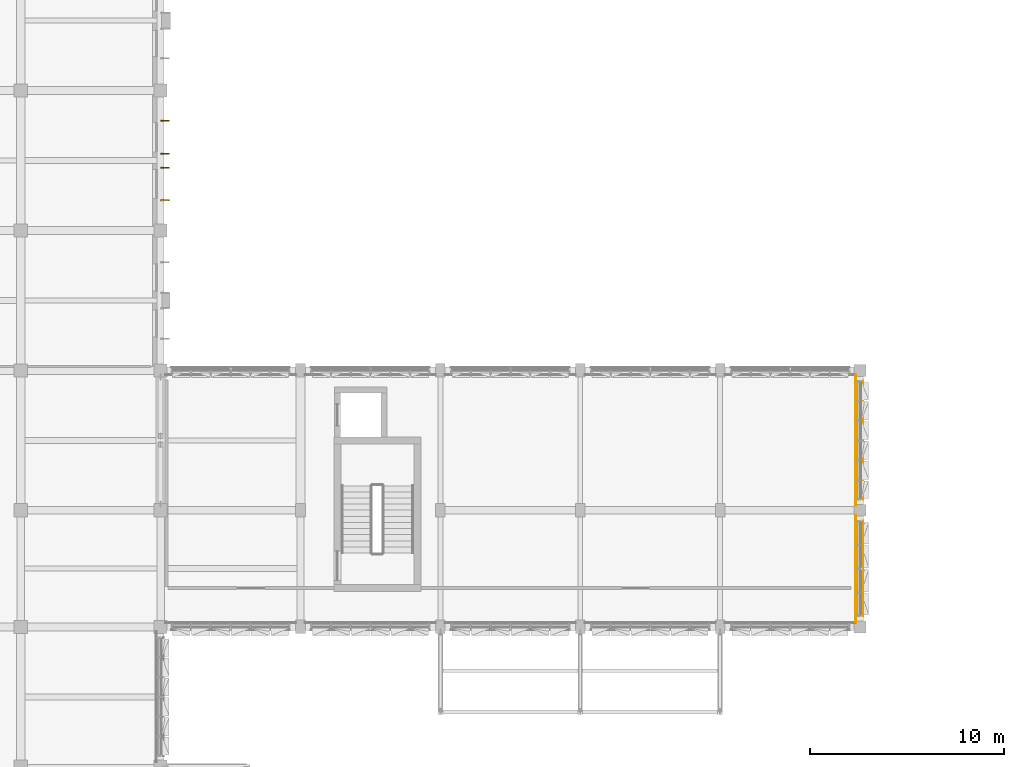
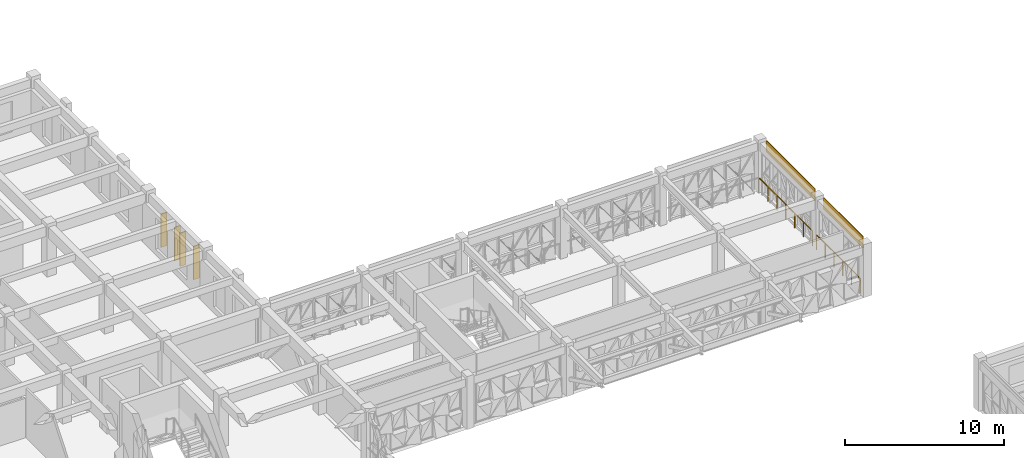
# One storey, part 76 of 88: 6 coverings, 2 railings.
"""IFC4 building model written with IfcOpenShell, lengths in metres."""

import ifcopenshell
import ifcopenshell.guid

model = None  # the IFC model being written
_history = None  # IfcOwnerHistory: only IFC2X3 demands one
_inside = {}  # id of a spatial element -> (the spatial element, [elements in it])
_under = {}  # id of a project, library or spatial element -> (it, [spatial elements below it])
_declared = {}  # id of a project -> (the project, [libraries it declares])
_typed = {}  # id of a type object -> (the type object, [elements of that type])
_made_of = {}  # id of a material, layer set ... -> (it, [elements and type objects made of it])


def new_model(schema):
    """Start an empty IFC model of exactly this schema.

    Asked for "IFC4X3", IfcOpenShell would pick the latest addendum, in which some entities
    have other attributes; the version numbers below select the first issue.
    IFC2X3 requires an IfcOwnerHistory on every rooted entity: one is made here for all.
    """
    global model, _history
    if schema == "IFC4X3":
        model = ifcopenshell.file(schema_version=(4, 3, 0, 0))
    else:
        model = ifcopenshell.file(schema=schema)
    _inside.clear()
    _under.clear()
    _declared.clear()
    _typed.clear()
    _made_of.clear()
    _history = None
    if model.schema == "IFC2X3":
        org = make("IfcOrganization", Name="unknown")
        user = make(
            "IfcPersonAndOrganization",
            ThePerson=make("IfcPerson", FamilyName="unknown"),
            TheOrganization=org,
        )
        app = make(
            "IfcApplication",
            ApplicationDeveloper=org,
            Version="unknown",
            ApplicationFullName="unknown",
            ApplicationIdentifier="unknown",
        )
        _history = make(
            "IfcOwnerHistory",
            OwningUser=user,
            OwningApplication=app,
            ChangeAction="ADDED",
            CreationDate=0,
        )
    return model


def make(cls, **values):
    """One entity of the class cls with the attributes given. An attribute that is None is left unset."""
    return model.create_entity(
        cls, **{name: value for name, value in values.items() if value is not None}
    )


def rooted(cls, **values):
    """An entity with a GlobalId (a new one), such as an element, a storey or a relation."""
    return make(cls, GlobalId=ifcopenshell.guid.new(), OwnerHistory=_history, **values)


def si_unit(unit_type, name, prefix=None):
    """IfcSIUnit, for example si_unit("LENGTHUNIT", "METRE", prefix="MILLI")."""
    return make("IfcSIUnit", UnitType=unit_type, Prefix=prefix, Name=name)


def assignment(units):
    """IfcUnitAssignment: the units of a project."""
    return None if units is None else make("IfcUnitAssignment", Units=units)


def point(xyz):
    """IfcCartesianPoint."""
    return None if xyz is None else make("IfcCartesianPoint", Coordinates=xyz)


def direction(xyz):
    """IfcDirection."""
    return None if xyz is None else make("IfcDirection", DirectionRatios=xyz)


def frame(location, z_axis=None, x_axis=None):
    """IfcAxis2Placement3D, a coordinate frame: its origin and axes. An axis left out is left unset."""
    return make(
        "IfcAxis2Placement3D",
        Location=point(location),
        Axis=direction(z_axis),
        RefDirection=direction(x_axis),
    )


def frame_2d(location, x_axis=None):
    """IfcAxis2Placement2D, a coordinate frame in the plane: its origin and x axis."""
    return make(
        "IfcAxis2Placement2D", Location=point(location), RefDirection=direction(x_axis)
    )


def origin():
    """The frame at (0, 0, 0) with its axes left unset."""
    return frame((0.0, 0.0, 0.0))


def origin_2d():
    """The frame at (0, 0) in the plane with its x axis left unset."""
    return frame_2d((0.0, 0.0))


def place(relative_to, where):
    """IfcLocalPlacement: puts the frame where relative to a parent placement (None: the world)."""
    return make(
        "IfcLocalPlacement", PlacementRelTo=relative_to, RelativePlacement=where
    )


def context(
    kind, dimensions, precision=None, world=None, true_north=None, identifier=None
):
    """IfcGeometricRepresentationContext, for example the 3D "Model" context."""
    return make(
        "IfcGeometricRepresentationContext",
        ContextIdentifier=identifier,
        ContextType=kind,
        CoordinateSpaceDimension=dimensions,
        Precision=precision,
        WorldCoordinateSystem=world,
        TrueNorth=true_north,
    )


def subcontext(parent, identifier, kind, view, scale=None):
    """IfcGeometricRepresentationSubContext, for example "Body" below "Model"."""
    return make(
        "IfcGeometricRepresentationSubContext",
        ContextIdentifier=identifier,
        ContextType=kind,
        ParentContext=parent,
        TargetScale=scale,
        TargetView=view,
    )


def project(units=None, contexts=None):
    """IfcProject with its units and contexts."""
    return rooted(
        "IfcProject",
        Name="project",
        RepresentationContexts=contexts,
        UnitsInContext=assignment(units),
    )


def spatial(cls, under=None, at=None, **own):
    """A site, building, storey or space (cls), placed at a placement, below another one or the project."""
    s = rooted(cls, ObjectPlacement=at, **own)
    if under is not None:
        _under.setdefault(under.id(), (under, []))[1].append(s)
    return s


def polyline(points):
    """IfcPolyline through the points."""
    return make("IfcPolyline", Points=[point(p) for p in points])


def profile(cls, at=None, kind="AREA", **sizes):
    """A parametric profile (cls). Its sizes go by their IFC names, for example OverallWidth=200.0."""
    return make(cls, ProfileType=kind, Position=at, **sizes)


def circle(**sizes):
    """IfcCircleProfileDef."""
    return profile("IfcCircleProfileDef", **sizes)


def outline(outer, holes=None, kind="AREA"):
    """IfcArbitraryClosedProfileDef: a profile drawn as a closed curve; with holes, ...WithVoids."""
    if holes is None:
        return make("IfcArbitraryClosedProfileDef", ProfileType=kind, OuterCurve=outer)
    return make(
        "IfcArbitraryProfileDefWithVoids",
        ProfileType=kind,
        OuterCurve=outer,
        InnerCurves=holes,
    )


def extrude(swept, where, along, depth):
    """IfcExtrudedAreaSolid: the profile swept, set in the frame where, extruded along a direction by depth."""
    return make(
        "IfcExtrudedAreaSolid",
        SweptArea=swept,
        Position=where,
        ExtrudedDirection=direction(along),
        Depth=depth,
    )


def shape(context_of_items, identifier, shape_type, items):
    """IfcShapeRepresentation: the items that make up one representation, for example the "Body"."""
    return make(
        "IfcShapeRepresentation",
        ContextOfItems=context_of_items,
        RepresentationIdentifier=identifier,
        RepresentationType=shape_type,
        Items=items,
    )


def material(Name=None, Category=None):
    """IfcMaterial."""
    return make("IfcMaterial", Name=Name, Category=Category)


def layer(
    of_material, thickness, ventilated=None, Name=None, Category=None, Priority=None
):
    """IfcMaterialLayer: one layer of a wall or slab, of a material (None: an air gap)."""
    return make(
        "IfcMaterialLayer",
        Material=of_material,
        LayerThickness=thickness,
        IsVentilated=ventilated,
        Name=Name,
        Category=Category,
        Priority=Priority,
    )


def layer_set(layers, Name=None):
    """IfcMaterialLayerSet."""
    return make("IfcMaterialLayerSet", MaterialLayers=layers, LayerSetName=Name)


def made_of(thing, what):
    """Note that an element or type object is made of a material, layer set ...; save() writes the relation."""
    if what is not None:
        _made_of.setdefault(what.id(), (what, []))[1].append(thing)
    return thing


def type_object(cls, material=None, **own):
    """A type object (cls), such as IfcWallType, which elements share."""
    return made_of(rooted(cls, **own), material)


def element(
    cls,
    number,
    at=None,
    inside=None,
    cuts=None,
    type_object=None,
    material=None,
    context=None,
    identifier="Body",
    shape_type=None,
    held_by="IfcProductDefinitionShape",
    body=None,
    shapes=None,
    **own,
):
    """One element of the class cls, such as IfcWall. Its Tag is "e" and its number.

    at: its placement. inside: the storey or other place that contains it. cuts: it is an
    opening in that element (IfcRelVoidsElement). A single representation is given by context,
    identifier, shape_type and body (its items); several are given by shapes. held_by: the class
    of the entity that holds the representations. save() writes the other relations.
    """
    e = rooted(cls, Tag="e%d" % number, ObjectPlacement=at, **own)
    if body is not None:
        shapes = [shape(context, identifier, shape_type, body)]
    if shapes is not None:
        e.Representation = make(held_by, Representations=shapes)
    if inside is not None:
        _inside.setdefault(inside.id(), (inside, []))[1].append(e)
    if cuts is not None:
        rooted(
            "IfcRelVoidsElement", RelatingBuildingElement=cuts, RelatedOpeningElement=e
        )
    if type_object is not None:
        _typed.setdefault(type_object.id(), (type_object, []))[1].append(e)
    return made_of(e, material)


def aggregate(whole, parts):
    """IfcRelAggregates: a whole, such as a stair, and the parts it consists of."""
    return rooted("IfcRelAggregates", RelatingObject=whole, RelatedObjects=parts)


def save(model, path):
    """Write the relations noted so far, then the file.

    IfcRelAggregates (storeys below a building ...), IfcRelContainedInSpatialStructure (elements
    in a storey), IfcRelDefinesByType, IfcRelAssociatesMaterial and IfcRelDeclares: one each for
    every whole, place, type object, material and project.
    """
    for whole, parts in _under.values():
        aggregate(whole, parts)
    for where, things in _inside.values():
        rooted(
            "IfcRelContainedInSpatialStructure",
            RelatedElements=things,
            RelatingStructure=where,
        )
    for kind, things in _typed.values():
        rooted("IfcRelDefinesByType", RelatedObjects=things, RelatingType=kind)
    for what, things in _made_of.values():
        rooted("IfcRelAssociatesMaterial", RelatedObjects=things, RelatingMaterial=what)
    for by, libraries in _declared.values():
        rooted("IfcRelDeclares", RelatingContext=by, RelatedDefinitions=libraries)
    model.write(path)


model = new_model("IFC4")

# Units and contexts
model_context = context("Model", 3, precision=1e-05, world=origin(), true_north=direction((0.0, 1.0)))
body_context = subcontext(model_context, "Body", "Model", "MODEL_VIEW")
ifc_project = project(units=[si_unit("LENGTHUNIT", "METRE"), si_unit("AREAUNIT", "SQUARE_METRE"), si_unit("VOLUMEUNIT", "CUBIC_METRE"), si_unit("PLANEANGLEUNIT", "RADIAN"), si_unit("MASSUNIT", "GRAM", prefix="KILO")], contexts=[model_context])

# Site, building, storey
site_placement = place(None, origin())
site = spatial("IfcSite", under=ifc_project, at=site_placement, CompositionType="ELEMENT")
building_placement = place(site_placement, origin())
building = spatial("IfcBuilding", under=site, at=building_placement, Name="Alvorim Cloister Faculty of Sciences", CompositionType="ELEMENT")
storey_placement = place(building_placement, frame((0.0, 0.0, 4.5)))
storey = spatial("IfcBuildingStorey", under=building, at=storey_placement, Name="L01", CompositionType="ELEMENT", Elevation=4.5)

# Coverings
ifc_material_1 = material(Name="Anodised Aluminium Alloy 6063-T6", Category="aluminium")
ifc_layer_1 = layer(ifc_material_1, 0.031982421875)
ifc_layer_set_1 = layer_set([ifc_layer_1], Name="Anodised Aluminium Alloy 6063-T6")
covering_type_1 = type_object("IfcCoveringType", Name="COV-FAC-CAS", PredefinedType="CLADDING", material=ifc_layer_set_1)
covering_1_placement = place(storey_placement, frame((64.949951171875, 49.739990234375, 3.14990234375), z_axis=(0.0, 0.0, 1.0), x_axis=(0.0, 1.0, 0.0)))
element("IfcCovering", 1, at=covering_1_placement, inside=storey, type_object=covering_type_1, Name="L01 Shifted Bar Slab-Edge Architectural Fascia", PredefinedType="CLADDING", context=body_context, shape_type="SweptSolid", body=[
    extrude(outline(polyline([(0.0, 0.0), (6.1201171875, 0.0), (6.1201171875, 0.89013671875), (0.0, 0.89013671875), (0.0, 0.0)])), frame((0.0, 0.0224609375, 0.0), z_axis=(0.0, -1.0, 0.0), x_axis=(1.0, 0.0, 0.0)), (0.0, 0.0, 1.0), 0.044921875),
])
covering_2_placement = place(storey_placement, frame((64.949951171875, 43.739990234375, 3.14990234375), z_axis=(0.0, 0.0, 1.0), x_axis=(0.0, 1.0, 0.0)))
element("IfcCovering", 2, at=covering_2_placement, inside=storey, type_object=covering_type_1, Name="L01 Shifted Bar Slab-Edge Architectural Fascia", PredefinedType="CLADDING", context=body_context, shape_type="SweptSolid", body=[
    extrude(outline(polyline([(0.0, 0.0), (4.919921875, 0.0), (4.919921875, 0.89013671875), (0.0, 0.89013671875), (0.0, 0.0)])), frame((0.0, 0.0224609375, 0.0), z_axis=(0.0, -1.0, 0.0), x_axis=(1.0, 0.0, 0.0)), (0.0, 0.0, 1.0), 0.044921875),
])
ifc_layer_2 = layer(ifc_material_1, 0.054931640625)
ifc_layer_set_2 = layer_set([ifc_layer_2], Name="Anodised Aluminium Alloy 6063-T6")
covering_type_2 = type_object("IfcCoveringType", Name="COV-SHD-FIN", PredefinedType="CLADDING", material=ifc_layer_set_2)
for number, where, z_axis, x_axis, name in (
    (3, (28.800048828125, 65.159912109375, 0.389892578125), (0.0, 0.0, 1.0), (1.0, 0.0, 0.0), "L01 Brise-Soleil Vertical Fin COV-FIN-00276"),
    (4, (28.800048828125, 66.840087890625, 0.389892578125), (0.0, 0.0, 1.0), (1.0, 0.0, 0.0), "L01 Brise-Soleil Vertical Fin COV-FIN-00277"),
    (5, (28.800048828125, 67.56005859375, 0.389892578125), (0.0, 0.0, 1.0), (1.0, 0.0, 0.0), "L01 Brise-Soleil Vertical Fin COV-FIN-00278"),
    (6, (28.800048828125, 69.239990234375, 0.389892578125), (0.0, 0.0, 1.0), (1.0, 0.0, 0.0), "L01 Brise-Soleil Vertical Fin COV-FIN-00279"),
):
    element("IfcCovering", number, at=place(storey_placement, frame(where, z_axis=z_axis, x_axis=x_axis)), inside=storey, type_object=covering_type_2, Name=name, PredefinedType="CLADDING", context=body_context, shape_type="SweptSolid", body=[
        extrude(outline(polyline([(0.0, 0.0), (0.43994140625, 0.0), (0.43994140625, 2.56005859375), (0.0, 2.56005859375), (0.0, 0.0)])), frame((0.0, 0.02734375, 0.0), z_axis=(0.0, -1.0, 0.0), x_axis=(1.0, 0.0, 0.0)), (0.0, 0.0, 1.0), 0.054931640625),
    ])

# Railings
ifc_material_2 = material(Name="Laminated Safety Glass and Bronze", Category="glass")
railing_type = type_object("IfcRailingType", Name="RL-ATR-BAL-1150", PredefinedType="BALUSTRADE", material=ifc_material_2)
railing_1_placement = place(storey_placement, frame((64.580078125, 49.449951171875, 0.0)))
element("IfcRailing", 7, at=railing_1_placement, inside=storey, type_object=railing_type, Name="L01 Curtain Wall Sill Guard BL-11", PredefinedType="BALUSTRADE", context=body_context, shape_type="SweptSolid", body=[
    extrude(circle(Radius=0.02392578125, at=origin_2d()), frame((0.0, 0.0, 1.1259765625), z_axis=(0.0, 1.0, 0.0), x_axis=(-1.0, 0.0, 0.0)), (0.0, 0.0, 1.0), 6.699951171875),
    extrude(circle(Radius=0.02099609375, at=origin_2d()), origin(), (0.0, 0.0, 1.0), 1.101806640625),
    extrude(circle(Radius=0.02099609375, at=origin_2d()), frame((0.0, 1.11669921875, 0.0)), (0.0, 0.0, 1.0), 1.101806640625),
    extrude(circle(Radius=0.02099609375, at=origin_2d()), frame((0.0, 2.2333984375, 0.0)), (0.0, 0.0, 1.0), 1.101806640625),
    extrude(circle(Radius=0.02099609375, at=origin_2d()), frame((0.0, 3.35009765625, 0.0)), (0.0, 0.0, 1.0), 1.101806640625),
    extrude(circle(Radius=0.02099609375, at=origin_2d()), frame((0.0, 4.466552734375, 0.0)), (0.0, 0.0, 1.0), 1.101806640625),
    extrude(circle(Radius=0.02099609375, at=origin_2d()), frame((0.0, 5.583251953125, 0.0)), (0.0, 0.0, 1.0), 1.101806640625),
    extrude(circle(Radius=0.02099609375, at=origin_2d()), frame((0.0, 6.699951171875, 0.0)), (0.0, 0.0, 1.0), 1.101806640625),
])
railing_2_placement = place(storey_placement, frame((64.580078125, 43.449951171875, 0.0)))
element("IfcRailing", 8, at=railing_2_placement, inside=storey, type_object=railing_type, Name="L01 Curtain Wall Sill Guard BL-12", PredefinedType="BALUSTRADE", context=body_context, shape_type="SweptSolid", body=[
    extrude(circle(Radius=0.02392578125, at=origin_2d()), frame((0.0, 0.0, 1.1259765625), z_axis=(0.0, 1.0, 0.0), x_axis=(-1.0, 0.0, 0.0)), (0.0, 0.0, 1.0), 5.5),
    extrude(circle(Radius=0.02099609375, at=origin_2d()), origin(), (0.0, 0.0, 1.0), 1.101806640625),
    extrude(circle(Radius=0.02099609375, at=origin_2d()), frame((0.0, 1.10009765625, 0.0)), (0.0, 0.0, 1.0), 1.101806640625),
    extrude(circle(Radius=0.02099609375, at=origin_2d()), frame((0.0, 2.199951171875, 0.0)), (0.0, 0.0, 1.0), 1.101806640625),
    extrude(circle(Radius=0.02099609375, at=origin_2d()), frame((0.0, 3.300048828125, 0.0)), (0.0, 0.0, 1.0), 1.101806640625),
    extrude(circle(Radius=0.02099609375, at=origin_2d()), frame((0.0, 4.39990234375, 0.0)), (0.0, 0.0, 1.0), 1.101806640625),
    extrude(circle(Radius=0.02099609375, at=origin_2d()), frame((0.0, 5.5, 0.0)), (0.0, 0.0, 1.0), 1.101806640625),
])

save(model, "model.ifc")
